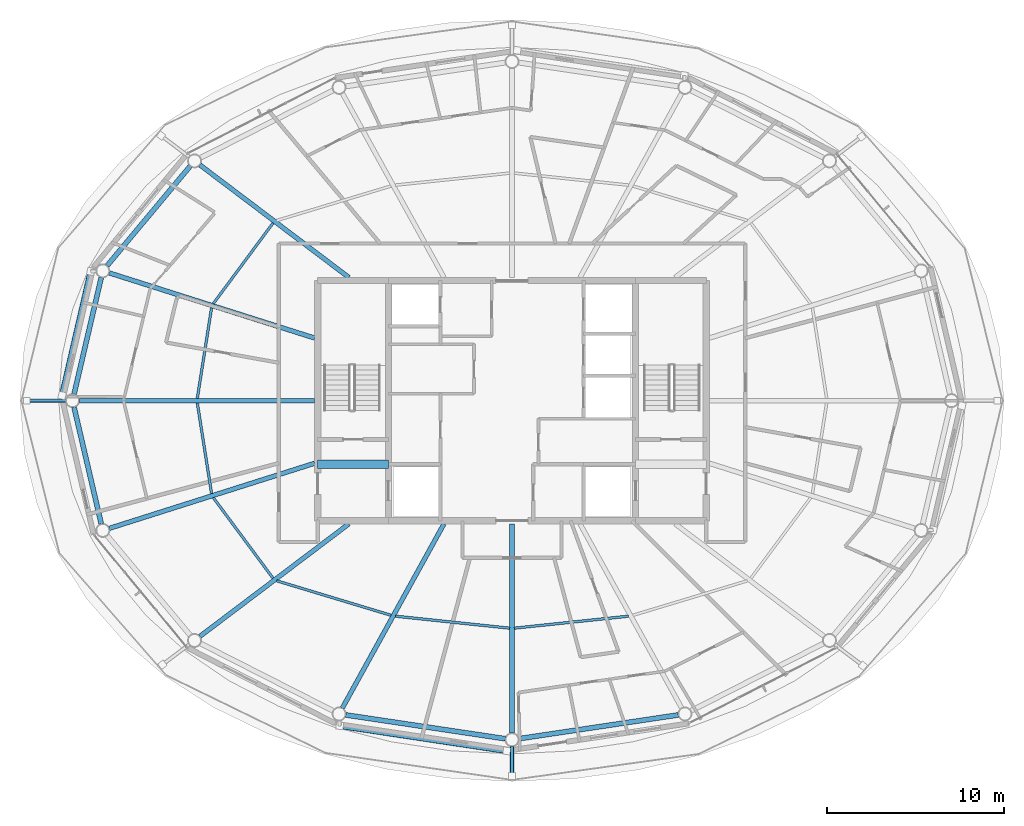
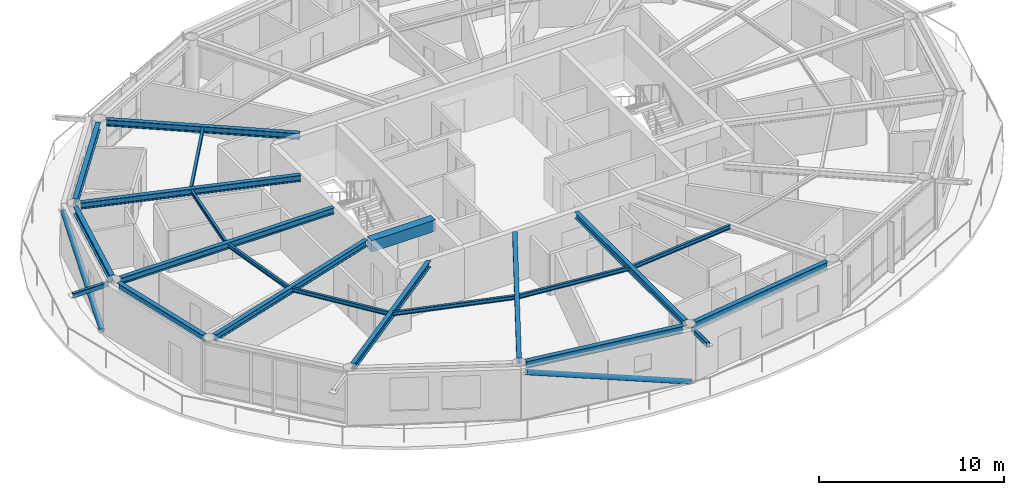
# One storey, part 4 of 23: 20 beams, 4 members.
"""IFC4 building model written with IfcOpenShell, lengths in metres."""

from ifc_helpers import new_model, si_unit, direction, frame, origin, origin_2d, place, context, subcontext, project, spatial, rectangle, hollow_rectangle, hollow_circle, i_section, extrude, material, material_profile, profile_set, type_object, element, save


model = new_model("IFC4")

# Units and contexts
model_context = context("Model", 3, precision=1e-05, world=origin(), true_north=direction((0.0, 1.0)))
body_context = subcontext(model_context, "Body", "Model", "MODEL_VIEW")
ifc_project = project(units=[si_unit("LENGTHUNIT", "METRE"), si_unit("AREAUNIT", "SQUARE_METRE"), si_unit("VOLUMEUNIT", "CUBIC_METRE"), si_unit("PLANEANGLEUNIT", "RADIAN"), si_unit("MASSUNIT", "GRAM", prefix="KILO")], contexts=[model_context])

# Site, building, storey
site_placement = place(None, origin())
site = spatial("IfcSite", under=ifc_project, at=site_placement, CompositionType="ELEMENT")
building_placement = place(site_placement, origin())
building = spatial("IfcBuilding", under=site, at=building_placement, Name="Sarneth Arch Tower", CompositionType="ELEMENT")
storey_placement = place(building_placement, frame((0.0, 0.0, 269.39990234375)))
storey = spatial("IfcBuildingStorey", under=building, at=storey_placement, Name="L69", CompositionType="ELEMENT", Elevation=269.39990234375)

# Beams
ifc_material_1 = material(Name="Steel S355", Category="steel")
ifc_material_profile_1 = material_profile(ifc_material_1, i_section(OverallWidth=0.14794921875, OverallDepth=0.26611328125, WebThickness=0.007568359375, FlangeThickness=0.012939453125, FilletRadius=0.012939453125, at=origin_2d()), Name="W250x44.8")
ifc_profile_set_1 = profile_set([ifc_material_profile_1], Name="Steel S355")
beam_type_1 = type_object("IfcBeamType", Name="BM-JOIST-250", PredefinedType="JOIST", material=ifc_profile_set_1)
beam_1_placement = place(storey_placement, frame((34.469482421875, 52.056396484375, 3.237060546875), z_axis=(-0.595431044136, -0.803406417499, 0.0), x_axis=(0.803406417499, -0.595431044136, 0.0)))
element("IfcBeam", 1, at=beam_1_placement, inside=storey, type_object=beam_type_1, Name="L69 Secondary floor joist 07", PredefinedType="JOIST", context=body_context, shape_type="SweptSolid", body=[
    extrude(i_section(OverallWidth=0.14794921875, OverallDepth=0.26611328125, WebThickness=0.007568359375, FlangeThickness=0.012939453125, FilletRadius=0.012939453125, at=origin_2d()), origin(), (0.0, 0.0, 1.0), 5.680419921875),
])
for number, where, z_axis, x_axis, name in (
    (2, (30.989501953125, 47.259765625, 3.237060546875), (-0.155520890899, -0.987832603478, 0.0), (0.987832603478, -0.155520890899, 0.0), "L69 Secondary floor joist 08"),
    (3, (30.181640625, 41.87158203125, 3.237060546875), (0.155520890899, -0.987832603478, 0.0), (0.987832603478, 0.155520890899, 0.0), "L69 Secondary floor joist 09"),
):
    element("IfcBeam", number, at=place(storey_placement, frame(where, z_axis=z_axis, x_axis=x_axis)), inside=storey, type_object=beam_type_1, Name=name, PredefinedType="JOIST", context=body_context, shape_type="SweptSolid", body=[
        extrude(i_section(OverallWidth=0.14794921875, OverallDepth=0.26611328125, WebThickness=0.007568359375, FlangeThickness=0.012939453125, FilletRadius=0.012939453125, at=origin_2d()), origin(), (0.0, 0.0, 1.0), 5.194580078125),
    ])
beam_2_placement = place(storey_placement, frame((31.087158203125, 36.50732421875, 3.237060546875), z_axis=(0.595431044136, -0.803406417499, 0.0), x_axis=(0.803406417499, 0.595431044136, 0.0)))
element("IfcBeam", 4, at=beam_2_placement, inside=storey, type_object=beam_type_1, Name="L69 Secondary floor joist 10", PredefinedType="JOIST", context=body_context, shape_type="SweptSolid", body=[
    extrude(i_section(OverallWidth=0.14794921875, OverallDepth=0.26611328125, WebThickness=0.007568359375, FlangeThickness=0.012939453125, FilletRadius=0.012939453125, at=origin_2d()), origin(), (0.0, 0.0, 1.0), 5.680419921875),
])
beam_3_placement = place(storey_placement, frame((34.67138671875, 31.801513671875, 3.237060546875), z_axis=(0.957373106971, -0.288854174367, 0.0), x_axis=(0.288854174367, 0.957373106971, 0.0)))
element("IfcBeam", 5, at=beam_3_placement, inside=storey, type_object=beam_type_1, Name="L69 Secondary floor joist 11", PredefinedType="JOIST", context=body_context, shape_type="SweptSolid", body=[
    extrude(i_section(OverallWidth=0.14794921875, OverallDepth=0.26611328125, WebThickness=0.007568359375, FlangeThickness=0.012939453125, FilletRadius=0.012939453125, at=origin_2d()), origin(), (0.0, 0.0, 1.0), 6.76416015625),
])
for number, where, z_axis, x_axis, name in (
    (6, (41.40087890625, 29.79638671875, 3.237060546875), (0.994526818736, -0.104481609938, 0.0), (0.104481609938, 0.994526818736, 0.0), "L69 Secondary floor joist 12"),
    (7, (48.12939453125, 29.11669921875, 3.237060546875), (0.994526818736, 0.104481609938, 0.0), (-0.104481609938, 0.994526818736, 0.0), "L69 Secondary floor joist 13"),
):
    element("IfcBeam", number, at=place(storey_placement, frame(where, z_axis=z_axis, x_axis=x_axis)), inside=storey, type_object=beam_type_1, Name=name, PredefinedType="JOIST", context=body_context, shape_type="SweptSolid", body=[
        extrude(i_section(OverallWidth=0.14794921875, OverallDepth=0.26611328125, WebThickness=0.007568359375, FlangeThickness=0.012939453125, FilletRadius=0.012939453125, at=origin_2d()), origin(), (0.0, 0.0, 1.0), 6.50537109375),
    ])
ifc_material_2 = material(Name="Concrete C50/60", Category="concrete")
ifc_material_profile_2 = material_profile(ifc_material_2, rectangle(XDim=0.5, YDim=0.75, at=origin_2d()), Name="RC-500x750")
ifc_profile_set_2 = profile_set([ifc_material_profile_2], Name="Concrete C50/60")
beam_type_2 = type_object("IfcBeamType", Name="BM-LINTEL-RC", PredefinedType="LINTEL", material=ifc_profile_set_2)
beam_4_placement = place(storey_placement, frame((37.0, 38.39990234375, 2.9951171875), z_axis=(1.0, 0.0, 0.0), x_axis=(0.0, 1.0, 0.0)))
element("IfcBeam", 8, at=beam_4_placement, inside=storey, type_object=beam_type_2, Name="L69 Core coupling lintel W", PredefinedType="LINTEL", context=body_context, shape_type="SweptSolid", body=[
    extrude(rectangle(XDim=0.5, YDim=0.75, at=origin_2d()), origin(), (0.0, 0.0, 1.0), 4.0),
])
ifc_material_3 = material(Name="Steel S355", Category="steel")
ifc_material_profile_3 = material_profile(ifc_material_3, i_section(OverallWidth=0.260009765625, OverallDepth=0.4150390625, WebThickness=0.010009765625, FlangeThickness=0.016845703125, FilletRadius=0.01611328125, at=origin_2d()), Name="W410x100")
ifc_profile_set_3 = profile_set([ifc_material_profile_3], Name="Steel S355")
beam_type_3 = type_object("IfcBeamType", Name="BM-RAD-410A", PredefinedType="BEAM", material=ifc_profile_set_3)
beam_5_placement = place(storey_placement, frame((38.76513671875, 48.97509765625, 3.16259765625), z_axis=(-0.797969745164, 0.602697507713, 0.0), x_axis=(-0.602697507713, -0.797969745164, 0.0)))
element("IfcBeam", 9, at=beam_5_placement, inside=storey, type_object=beam_type_3, Name="L69 Radial floor girder 07", PredefinedType="BEAM", context=body_context, shape_type="SweptSolid", body=[
    extrude(i_section(OverallWidth=0.260009765625, OverallDepth=0.4150390625, WebThickness=0.010009765625, FlangeThickness=0.016845703125, FilletRadius=0.01611328125, at=origin_2d()), origin(), (0.0, 0.0, 1.0), 10.572265625),
])
beam_6_placement = place(storey_placement, frame((36.824951171875, 45.5439453125, 3.16259765625), z_axis=(-0.953213623044, 0.302297517096, 0.0), x_axis=(-0.302297517096, -0.953213623044, 0.0)))
element("IfcBeam", 10, at=beam_6_placement, inside=storey, type_object=beam_type_3, Name="L69 Radial floor girder 08", PredefinedType="BEAM", context=body_context, shape_type="SweptSolid", body=[
    extrude(i_section(OverallWidth=0.260009765625, OverallDepth=0.4150390625, WebThickness=0.010009765625, FlangeThickness=0.016845703125, FilletRadius=0.01611328125, at=origin_2d()), origin(), (0.0, 0.0, 1.0), 12.201416015625),
])
beam_7_placement = place(storey_placement, frame((36.824951171875, 42.0, 3.16259765625), z_axis=(-1.0, 0.0, 0.0), x_axis=(0.0, -1.0, 0.0)))
element("IfcBeam", 11, at=beam_7_placement, inside=storey, type_object=beam_type_3, Name="L69 Radial floor girder 09", PredefinedType="BEAM", context=body_context, shape_type="SweptSolid", body=[
    extrude(i_section(OverallWidth=0.260009765625, OverallDepth=0.4150390625, WebThickness=0.010009765625, FlangeThickness=0.016845703125, FilletRadius=0.01611328125, at=origin_2d()), origin(), (0.0, 0.0, 1.0), 13.3271484375),
])
beam_8_placement = place(storey_placement, frame((36.824951171875, 38.4560546875, 3.16259765625), z_axis=(-0.953213623044, -0.302297517096, 0.0), x_axis=(0.302297517096, -0.953213623044, 0.0)))
element("IfcBeam", 12, at=beam_8_placement, inside=storey, type_object=beam_type_3, Name="L69 Radial floor girder 10", PredefinedType="BEAM", context=body_context, shape_type="SweptSolid", body=[
    extrude(i_section(OverallWidth=0.260009765625, OverallDepth=0.4150390625, WebThickness=0.010009765625, FlangeThickness=0.016845703125, FilletRadius=0.01611328125, at=origin_2d()), origin(), (0.0, 0.0, 1.0), 12.201416015625),
])
beam_9_placement = place(storey_placement, frame((38.76513671875, 35.02490234375, 3.16259765625), z_axis=(-0.797969745164, -0.602697507713, 0.0), x_axis=(0.602697507713, -0.797969745164, 0.0)))
element("IfcBeam", 13, at=beam_9_placement, inside=storey, type_object=beam_type_3, Name="L69 Radial floor girder 11", PredefinedType="BEAM", context=body_context, shape_type="SweptSolid", body=[
    extrude(i_section(OverallWidth=0.260009765625, OverallDepth=0.4150390625, WebThickness=0.010009765625, FlangeThickness=0.016845703125, FilletRadius=0.01611328125, at=origin_2d()), origin(), (0.0, 0.0, 1.0), 10.572265625),
])
beam_10_placement = place(storey_placement, frame((44.150146484375, 35.02490234375, 3.16259765625), z_axis=(-0.483231193732, -0.875492783182, 0.0), x_axis=(0.875492783182, -0.483231193732, 0.0)))
element("IfcBeam", 14, at=beam_10_placement, inside=storey, type_object=beam_type_3, Name="L69 Radial floor girder 12", PredefinedType="BEAM", context=body_context, shape_type="SweptSolid", body=[
    extrude(i_section(OverallWidth=0.260009765625, OverallDepth=0.4150390625, WebThickness=0.010009765625, FlangeThickness=0.016845703125, FilletRadius=0.01611328125, at=origin_2d()), origin(), (0.0, 0.0, 1.0), 11.913330078125),
])
beam_11_placement = place(storey_placement, frame((48.0, 35.02490234375, 3.16259765625), z_axis=(0.0, -1.0, 0.0), x_axis=(1.0, 0.0, 0.0)))
element("IfcBeam", 15, at=beam_11_placement, inside=storey, type_object=beam_type_3, Name="L69 Radial floor girder 13", PredefinedType="BEAM", context=body_context, shape_type="SweptSolid", body=[
    extrude(i_section(OverallWidth=0.260009765625, OverallDepth=0.4150390625, WebThickness=0.010009765625, FlangeThickness=0.016845703125, FilletRadius=0.01611328125, at=origin_2d()), origin(), (0.0, 0.0, 1.0), 11.843994140625),
])
ifc_material_4 = material(Name="Steel S355", Category="steel")
ifc_material_profile_4 = material_profile(ifc_material_4, i_section(OverallWidth=0.280029296875, OverallDepth=0.462890625, WebThickness=0.0107421875, FlangeThickness=0.017333984375, FilletRadius=0.01806640625, at=origin_2d()), Name="W460x113")
ifc_profile_set_4 = profile_set([ifc_material_profile_4], Name="Steel S355")
beam_type_4 = type_object("IfcBeamType", Name="BM-RAD-460A", PredefinedType="BEAM", material=ifc_profile_set_4)
beam_12_placement = place(storey_placement, frame((29.78076171875, 55.283935546875, 3.138671875), z_axis=(-0.640377192996, -0.768060577487, 0.0), x_axis=(0.768060577487, -0.640377192996, 0.0)))
element("IfcBeam", 16, at=beam_12_placement, inside=storey, type_object=beam_type_4, Name="L69 Perimeter spandrel beam 07", PredefinedType="BEAM", context=body_context, shape_type="SweptSolid", body=[
    extrude(i_section(OverallWidth=0.280029296875, OverallDepth=0.462890625, WebThickness=0.0107421875, FlangeThickness=0.017333984375, FilletRadius=0.01806640625, at=origin_2d()), origin(), (0.0, 0.0, 1.0), 7.34814453125),
])
for number, where, z_axis, x_axis, name in (
    (17, (24.74462890625, 48.9765625, 3.138671875), (-0.227227339933, -0.973841740729, 0.0), (0.973841740729, -0.227227339933, 0.0), "L69 Perimeter spandrel beam 08"),
    (18, (23.203369140625, 41.62890625, 3.138671875), (0.227227339933, -0.973841740729, 0.0), (0.973841740729, 0.227227339933, 0.0), "L69 Perimeter spandrel beam 09"),
):
    element("IfcBeam", number, at=place(storey_placement, frame(where, z_axis=z_axis, x_axis=x_axis)), inside=storey, type_object=beam_type_4, Name=name, PredefinedType="BEAM", context=body_context, shape_type="SweptSolid", body=[
        extrude(i_section(OverallWidth=0.280029296875, OverallDepth=0.462890625, WebThickness=0.0107421875, FlangeThickness=0.017333984375, FilletRadius=0.01806640625, at=origin_2d()), origin(), (0.0, 0.0, 1.0), 6.782958984375),
    ])
for number, where, z_axis, x_axis, name in (
    (19, (38.5859375, 24.205322265625, 3.138671875), (0.989040174637, -0.147646648973, 0.0), (0.147646648973, 0.989040174637, 0.0), "L69 Perimeter spandrel beam 12"),
    (20, (48.376708984375, 22.856201171875, 3.138671875), (0.989040174637, 0.147646648973, 0.0), (-0.147646648973, 0.989040174637, 0.0), "L69 Perimeter spandrel beam 13"),
):
    element("IfcBeam", number, at=place(storey_placement, frame(where, z_axis=z_axis, x_axis=x_axis)), inside=storey, type_object=beam_type_4, Name=name, PredefinedType="BEAM", context=body_context, shape_type="SweptSolid", body=[
        extrude(i_section(OverallWidth=0.280029296875, OverallDepth=0.462890625, WebThickness=0.0107421875, FlangeThickness=0.017333984375, FilletRadius=0.01806640625, at=origin_2d()), origin(), (0.0, 0.0, 1.0), 9.137451171875),
    ])

# Members
ifc_material_5 = material(Name="Steel S355", Category="steel")
ifc_material_profile_5 = material_profile(ifc_material_5, hollow_rectangle(XDim=0.199951171875, YDim=0.300048828125, WallThickness=0.012451171875, InnerFilletRadius=0.018798828125, OuterFilletRadius=0.03125, at=origin_2d()), Name="RHS300x200x12.5")
ifc_profile_set_5 = profile_set([ifc_material_profile_5], Name="Steel S355")
member_type_1 = type_object("IfcMemberType", Name="MEM-CANT-STRUT", PredefinedType="STRUT", material=ifc_profile_set_5)
member_1_placement = place(storey_placement, frame((22.73583984375, 42.0, 3.210205078125), z_axis=(-1.0, 0.0, 0.0), x_axis=(0.0, -1.0, 0.0)))
element("IfcMember", 21, at=member_1_placement, inside=storey, type_object=member_type_1, Name="L69 Balcony cantilever bracket 09", PredefinedType="STRUT", context=body_context, shape_type="SweptSolid", body=[
    extrude(hollow_rectangle(XDim=0.199951171875, YDim=0.300048828125, WallThickness=0.012451171875, InnerFilletRadius=0.018798828125, OuterFilletRadius=0.03125, at=origin_2d()), origin(), (0.0, 0.0, 1.0), 2.21484375),
])
member_2_placement = place(storey_placement, frame((48.0, 22.4189453125, 3.210205078125), z_axis=(0.0, -1.0, 0.0), x_axis=(1.0, 0.0, 0.0)))
element("IfcMember", 22, at=member_2_placement, inside=storey, type_object=member_type_1, Name="L69 Balcony cantilever bracket 13", PredefinedType="STRUT", context=body_context, shape_type="SweptSolid", body=[
    extrude(hollow_rectangle(XDim=0.199951171875, YDim=0.300048828125, WallThickness=0.012451171875, InnerFilletRadius=0.018798828125, OuterFilletRadius=0.03125, at=origin_2d()), origin(), (0.0, 0.0, 1.0), 1.673095703125),
])
ifc_material_6 = material(Name="Steel S355", Category="steel")
ifc_material_profile_6 = material_profile(ifc_material_6, hollow_circle(Radius=0.162109375, WallThickness=0.012451171875, at=origin_2d()), Name="CHS324x12.5")
ifc_profile_set_6 = profile_set([ifc_material_profile_6], Name="Steel S355")
member_type_2 = type_object("IfcMemberType", Name="MEM-DIAG-BR3", PredefinedType="BRACE", material=ifc_profile_set_6)
member_3_placement = place(storey_placement, frame((22.5234375, 42.292236328125, 0.02001953125), z_axis=(0.207343373373, 0.896265487877, 0.392067469651), x_axis=(-0.974268900284, 0.225388797281, 0.0)))
element("IfcMember", 23, at=member_3_placement, inside=storey, type_object=member_type_2, Name="L69 Perimeter frame diagonal 08", PredefinedType="BRACE", context=body_context, shape_type="SweptSolid", body=[
    extrude(hollow_circle(Radius=0.162109375, WallThickness=0.012451171875, at=origin_2d()), origin(), (0.0, 0.0, 1.0), 7.836181640625),
])
member_4_placement = place(storey_placement, frame((47.703369140625, 22.16455078125, 0.02001953125), z_axis=(-0.941471055877, 0.141762627625, 0.305835917372), x_axis=(-0.148897148305, -0.988852688335, 0.0)))
element("IfcMember", 24, at=member_4_placement, inside=storey, type_object=member_type_2, Name="L69 Perimeter frame diagonal 12", PredefinedType="BRACE", context=body_context, shape_type="SweptSolid", body=[
    extrude(hollow_circle(Radius=0.162109375, WallThickness=0.012451171875, at=origin_2d()), origin(), (0.0, 0.0, 1.0), 10.04541015625),
])

save(model, "model.ifc")
